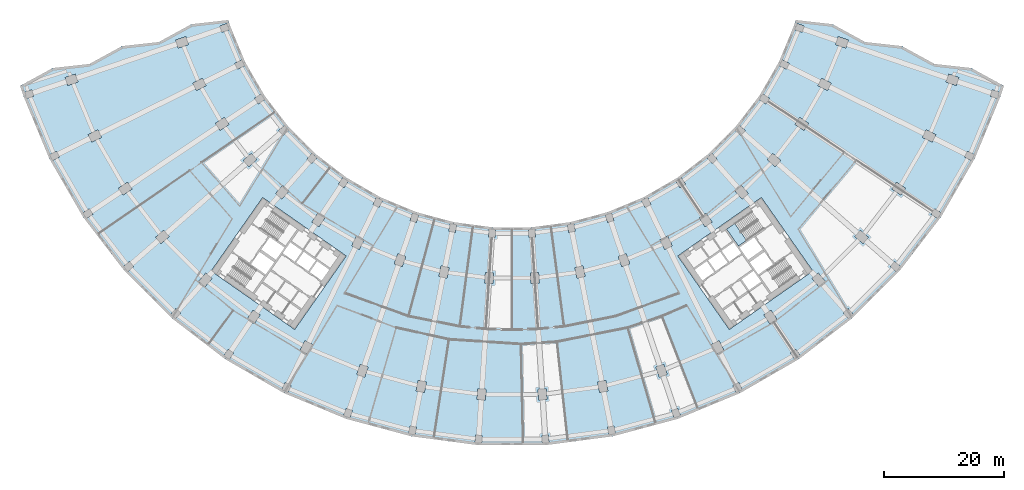
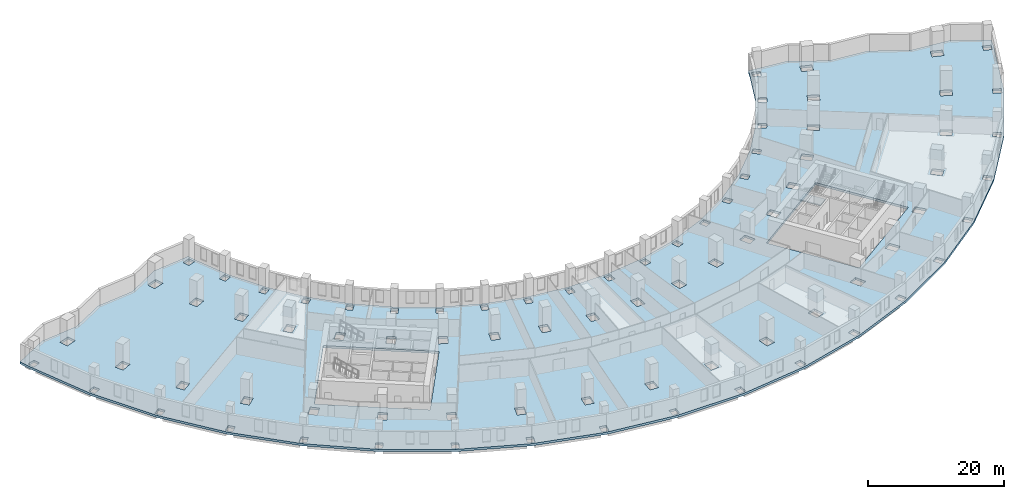
# One storey, part 4 of 19: 2 slabs, 1 element without a shape of its own.
"""IFC4 building model written with IfcOpenShell, lengths in metres."""

from ifc_helpers import new_model, si_unit, direction, frame, origin, place, context, subcontext, project, spatial, polyline, outline, extrude, material, layer, layer_set, type_object, element, aggregate, save


model = new_model("IFC4")

# Units and contexts
model_context = context("Model", 3, precision=1e-05, world=origin(), true_north=direction((0.0, 1.0)))
body_context = subcontext(model_context, "Body", "Model", "MODEL_VIEW")
ifc_project = project(units=[si_unit("LENGTHUNIT", "METRE"), si_unit("AREAUNIT", "SQUARE_METRE"), si_unit("VOLUMEUNIT", "CUBIC_METRE"), si_unit("PLANEANGLEUNIT", "RADIAN"), si_unit("MASSUNIT", "GRAM", prefix="KILO")], contexts=[model_context])

# Site, building, storey
site_placement = place(None, origin())
site = spatial("IfcSite", under=ifc_project, at=site_placement, CompositionType="ELEMENT")
building_placement = place(site_placement, origin())
building = spatial("IfcBuilding", under=site, at=building_placement, Name="Qamariyya Broadcast Tower", CompositionType="ELEMENT")
storey_placement = place(building_placement, frame((0.0, 0.0, 36.0)))
storey = spatial("IfcBuildingStorey", under=building, at=storey_placement, Name="L05", CompositionType="ELEMENT", Elevation=36.0)

# Slab
ifc_material_1 = material(Name="Concrete C40/50", Category="concrete")
ifc_layer_1 = layer(ifc_material_1, 0.39990234375)
ifc_layer_set_1 = layer_set([ifc_layer_1], Name="Post-tensioned floor slab 400 C40/50")
slab_type_1 = type_object("IfcSlabType", Name="Post-tensioned floor slab 400 C40/50", PredefinedType="FLOOR", material=ifc_layer_set_1)
slab_1_placement = place(storey_placement, frame((0.0, 0.0, -0.39990234375)))
element("IfcSlab", 1, at=slab_1_placement, inside=storey, type_object=slab_type_1, Name="Floor slab S3 L05", PredefinedType="FLOOR", context=body_context, shape_type="SweptSolid", body=[
    extrude(outline(polyline([(-76.78857421875, -23.0263671875), (-82.2353515625, -26.007568359375), (-81.672607421875, -27.72412109375), (-77.355224609375, -38.1474609375), (-71.71435546875, -47.91796875), (-64.84619140625, -56.86865234375), (-56.86865234375, -64.84619140625), (-47.91796875, -71.71435546875), (-38.1474609375, -77.355224609375), (-27.72412109375, -81.672607421875), (-16.82666015625, -84.5927734375), (-5.64111328125, -86.0654296875), (5.64111328125, -86.0654296875), (16.82666015625, -84.5927734375), (27.72412109375, -81.672607421875), (38.1474609375, -77.355224609375), (47.91796875, -71.71435546875), (56.86865234375, -64.84619140625), (64.84619140625, -56.86865234375), (71.71435546875, -47.91796875), (77.355224609375, -38.1474609375), (81.672607421875, -27.72412109375), (82.2353515625, -26.007568359375), (76.78857421875, -23.0263671875), (70.635009765625, -22.3388671875), (65.1865234375, -19.357421875), (59.03466796875, -18.670166015625), (53.583984375, -15.68798828125), (47.434326171875, -15.00146484375), (47.10986328125, -15.99169921875), (44.619384765625, -22.00390625), (41.36572265625, -27.6396484375), (37.404052734375, -32.802490234375), (32.802490234375, -37.404052734375), (27.6396484375, -41.36572265625), (22.00390625, -44.619384765625), (15.99169921875, -47.10986328125), (9.705810546875, -48.794189453125), (3.25390625, -49.6435546875), (-3.25390625, -49.6435546875), (-9.705810546875, -48.794189453125), (-15.99169921875, -47.10986328125), (-22.00390625, -44.619384765625), (-27.6396484375, -41.36572265625), (-32.802490234375, -37.404052734375), (-37.404052734375, -32.802490234375), (-41.36572265625, -27.6396484375), (-44.619384765625, -22.00390625), (-47.10986328125, -15.99169921875), (-47.434326171875, -15.00146484375), (-53.583984375, -15.68798828125), (-59.03466796875, -18.670166015625), (-65.1865234375, -19.357421875), (-70.635009765625, -22.3388671875), (-76.78857421875, -23.0263671875)]), holes=[polyline([(-27.714599609375, -79.93359375), (-26.6728515625, -80.287109375), (-27.0908203125, -81.51806640625), (-28.132568359375, -81.16455078125), (-27.714599609375, -79.93359375)]), polyline([(-37.910888671875, -75.632080078125), (-36.92431640625, -76.11865234375), (-37.499267578125, -77.28466796875), (-38.48583984375, -76.798095703125), (-37.910888671875, -75.632080078125)]), polyline([(-47.45849609375, -70.036865234375), (-46.5439453125, -70.64794921875), (-47.26611328125, -71.728759765625), (-48.180908203125, -71.11767578125), (-47.45849609375, -70.036865234375)]), polyline([(-33.362060546875, -69.234375), (-34.158203125, -70.8486328125), (-35.413818359375, -70.2294921875), (-34.61767578125, -68.614990234375), (-33.362060546875, -69.234375)]), polyline([(-42.113525390625, -64.287353515625), (-43.113525390625, -65.783935546875), (-44.277587890625, -65.006103515625), (-43.277587890625, -63.509521484375), (-42.113525390625, -64.287353515625)]), polyline([(-56.194091796875, -63.242919921875), (-55.3671875, -63.96826171875), (-56.224365234375, -64.94580078125), (-57.05126953125, -64.220458984375), (-56.194091796875, -63.242919921875)]), polyline([(-51.197021484375, -57.3173828125), (-50.14453125, -58.240478515625), (-51.331298828125, -59.59375), (-52.3837890625, -58.670654296875), (-51.197021484375, -57.3173828125)]), polyline([(-63.96826171875, -55.3671875), (-63.242919921875, -56.194091796875), (-64.220458984375, -57.05126953125), (-64.94580078125, -56.224365234375), (-63.96826171875, -55.3671875)]), polyline([(-27.719970703125, -54.447021484375), (-36.32373046875, -66.734375), (-50.286376953125, -56.95751953125), (-41.6826171875, -44.67041015625), (-27.719970703125, -54.447021484375)]), polyline([(-57.3173828125, -51.197021484375), (-58.670654296875, -52.3837890625), (-59.59375, -51.331298828125), (-58.240478515625, -50.14453125), (-57.3173828125, -51.197021484375)]), polyline([(-32.444091796875, -47.2958984375), (-31.280029296875, -48.07373046875), (-32.280029296875, -49.5703125), (-33.444091796875, -48.79248046875), (-32.444091796875, -47.2958984375)]), polyline([(-70.64794921875, -46.5439453125), (-70.036865234375, -47.45849609375), (-71.11767578125, -48.180908203125), (-71.728759765625, -47.26611328125), (-70.64794921875, -46.5439453125)]), polyline([(-38.33984375, -42.656494140625), (-37.287109375, -43.57958984375), (-38.47412109375, -44.932861328125), (-39.526611328125, -44.009765625), (-38.33984375, -42.656494140625)]), polyline([(-63.509521484375, -43.277587890625), (-65.006103515625, -44.277587890625), (-65.783935546875, -43.113525390625), (-64.287353515625, -42.113525390625), (-63.509521484375, -43.277587890625)]), polyline([(-27.376708984375, -41.962158203125), (-28.09912109375, -43.043212890625), (-29.013671875, -42.431884765625), (-28.291259765625, -41.35107421875), (-27.376708984375, -41.962158203125)]), polyline([(-43.57958984375, -37.287109375), (-42.656494140625, -38.33984375), (-44.009765625, -39.526611328125), (-44.932861328125, -38.47412109375), (-43.57958984375, -37.287109375)]), polyline([(-33.44677734375, -37.304443359375), (-32.61962890625, -38.02978515625), (-33.476806640625, -39.00732421875), (-34.303955078125, -38.281982421875), (-33.44677734375, -37.304443359375)]), polyline([(-76.11865234375, -36.92431640625), (-75.632080078125, -37.910888671875), (-76.798095703125, -38.48583984375), (-77.28466796875, -37.499267578125), (-76.11865234375, -36.92431640625)]), polyline([(-68.614990234375, -34.61767578125), (-70.2294921875, -35.413818359375), (-70.8486328125, -34.158203125), (-69.234375, -33.362060546875), (-68.614990234375, -34.61767578125)]), polyline([(-37.304443359375, -33.44677734375), (-38.281982421875, -34.303955078125), (-39.00732421875, -33.476806640625), (-38.02978515625, -32.61962890625), (-37.304443359375, -33.44677734375)]), polyline([(-48.07373046875, -31.280029296875), (-47.2958984375, -32.444091796875), (-48.79248046875, -33.444091796875), (-49.5703125, -32.280029296875), (-48.07373046875, -31.280029296875)]), polyline([(-41.962158203125, -27.376708984375), (-41.35107421875, -28.291259765625), (-42.431884765625, -29.013671875), (-43.043212890625, -28.09912109375), (-41.962158203125, -27.376708984375)]), polyline([(-80.287109375, -26.6728515625), (-79.93359375, -27.714599609375), (-81.16455078125, -28.132568359375), (-81.51806640625, -27.0908203125), (-80.287109375, -26.6728515625)]), polyline([(-51.1259765625, -25.9931640625), (-52.740478515625, -26.789306640625), (-53.359619140625, -25.533447265625), (-51.745361328125, -24.737548828125), (-51.1259765625, -25.9931640625)]), polyline([(-72.546630859375, -25.365478515625), (-74.2509765625, -25.944091796875), (-74.701171875, -24.618408203125), (-72.99658203125, -24.039794921875), (-72.546630859375, -25.365478515625)]), polyline([(-45.176513671875, -21.665283203125), (-44.690185546875, -22.65185546875), (-45.85595703125, -23.226806640625), (-46.342529296875, -22.240478515625), (-45.176513671875, -21.665283203125)]), polyline([(-54.531494140625, -17.771728515625), (-54.08154296875, -19.097412109375), (-55.785888671875, -19.676025390625), (-56.23583984375, -18.350341796875), (-54.531494140625, -17.771728515625)]), polyline([(-47.617919921875, -15.583251953125), (-47.264404296875, -16.625), (-48.495361328125, -17.042724609375), (-48.84912109375, -16.001220703125), (-47.617919921875, -15.583251953125)]), polyline([(6.08203125, -84.3828125), (6.1669921875, -85.68017578125), (5.0693359375, -85.751953125), (4.984375, -84.454833984375), (6.08203125, -84.3828125)]), polyline([(-4.984375, -84.454833984375), (-5.0693359375, -85.751953125), (-6.1669921875, -85.68017578125), (-6.08203125, -84.3828125), (-4.984375, -84.454833984375)]), polyline([(-17.044189453125, -82.8671875), (-15.965087890625, -83.081787109375), (-16.21875, -84.356689453125), (-17.297607421875, -84.14208984375), (-17.044189453125, -82.8671875)]), polyline([(15.965087890625, -83.081787109375), (17.044189453125, -82.8671875), (17.297607421875, -84.14208984375), (16.21875, -84.356689453125), (15.965087890625, -83.081787109375)]), polyline([(26.6728515625, -80.287109375), (27.714599609375, -79.93359375), (28.132568359375, -81.16455078125), (27.0908203125, -81.51806640625), (26.6728515625, -80.287109375)]), polyline([(-4.32763671875, -76.731201171875), (-4.445556640625, -78.52734375), (-5.842529296875, -78.435791015625), (-5.724853515625, -76.6396484375), (-4.32763671875, -76.731201171875)]), polyline([(5.724853515625, -76.6396484375), (5.842529296875, -78.435791015625), (4.445556640625, -78.52734375), (4.32763671875, -76.731201171875), (5.724853515625, -76.6396484375)]), polyline([(-15.67919921875, -75.23681640625), (-14.30615234375, -75.510009765625), (-14.6572265625, -77.275390625), (-16.030517578125, -77.002197265625), (-15.67919921875, -75.23681640625)]), polyline([(15.67919921875, -75.23681640625), (16.030517578125, -77.002197265625), (14.6572265625, -77.275390625), (14.30615234375, -75.510009765625), (15.67919921875, -75.23681640625)]), polyline([(-24.039794921875, -72.99658203125), (-24.618408203125, -74.701171875), (-25.944091796875, -74.2509765625), (-25.365478515625, -72.546630859375), (-24.039794921875, -72.99658203125)]), polyline([(24.039794921875, -72.99658203125), (25.365478515625, -72.546630859375), (25.944091796875, -74.2509765625), (24.618408203125, -74.701171875), (24.039794921875, -72.99658203125)]), polyline([(4.449462890625, -57.181396484375), (4.567138671875, -58.9775390625), (3.170166015625, -59.069091796875), (3.05224609375, -57.27294921875), (4.449462890625, -57.181396484375)]), polyline([(-3.05224609375, -57.27294921875), (-3.170166015625, -59.069091796875), (-4.567138671875, -58.9775390625), (-4.449462890625, -57.181396484375), (-3.05224609375, -57.27294921875)]), polyline([(10.501953125, -56.384521484375), (11.875, -56.111572265625), (12.22607421875, -57.876953125), (10.85302734375, -58.14990234375), (10.501953125, -56.384521484375)]), polyline([(-11.875, -56.111572265625), (-10.501953125, -56.384521484375), (-10.85302734375, -58.14990234375), (-12.22607421875, -57.876953125), (-11.875, -56.111572265625)]), polyline([(17.771728515625, -54.531494140625), (19.097412109375, -54.08154296875), (19.676025390625, -55.785888671875), (18.350341796875, -56.23583984375), (17.771728515625, -54.531494140625)]), polyline([(-17.771728515625, -54.531494140625), (-18.350341796875, -56.23583984375), (-19.676025390625, -55.785888671875), (-19.097412109375, -54.08154296875), (-17.771728515625, -54.531494140625)]), polyline([(-24.737548828125, -51.745361328125), (-25.533447265625, -53.359619140625), (-26.789306640625, -52.740478515625), (-25.9931640625, -51.1259765625), (-24.737548828125, -51.745361328125)]), polyline([(24.737548828125, -51.745361328125), (25.9931640625, -51.1259765625), (26.789306640625, -52.740478515625), (25.533447265625, -53.359619140625), (24.737548828125, -51.745361328125)]), polyline([(-3.825439453125, -49.956787109375), (-2.727783203125, -50.02880859375), (-2.81298828125, -51.325927734375), (-3.91064453125, -51.25390625), (-3.825439453125, -49.956787109375)]), polyline([(2.727783203125, -50.02880859375), (3.825439453125, -49.956787109375), (3.91064453125, -51.25390625), (2.81298828125, -51.325927734375), (2.727783203125, -50.02880859375)]), polyline([(-9.234619140625, -49.24462890625), (-9.48828125, -50.519775390625), (-10.567138671875, -50.30517578125), (-10.3134765625, -49.030029296875), (-9.234619140625, -49.24462890625)]), polyline([(10.3134765625, -49.030029296875), (10.567138671875, -50.30517578125), (9.48828125, -50.519775390625), (9.234619140625, -49.24462890625), (10.3134765625, -49.030029296875)]), polyline([(15.583251953125, -47.617919921875), (16.625, -47.264404296875), (17.042724609375, -48.495361328125), (16.001220703125, -48.84912109375), (15.583251953125, -47.617919921875)]), polyline([(-16.625, -47.264404296875), (-15.583251953125, -47.617919921875), (-16.001220703125, -48.84912109375), (-17.042724609375, -48.495361328125), (-16.625, -47.264404296875)]), polyline([(21.665283203125, -45.176513671875), (22.65185546875, -44.690185546875), (23.226806640625, -45.85595703125), (22.240478515625, -46.342529296875), (21.665283203125, -45.176513671875)]), polyline([(-21.665283203125, -45.176513671875), (-22.240478515625, -46.342529296875), (-23.226806640625, -45.85595703125), (-22.65185546875, -44.690185546875), (-21.665283203125, -45.176513671875)]), polyline([(28.291259765625, -41.35107421875), (29.013671875, -42.431884765625), (28.09912109375, -43.043212890625), (27.376708984375, -41.962158203125), (28.291259765625, -41.35107421875)]), polyline([(36.92431640625, -76.11865234375), (37.910888671875, -75.632080078125), (38.48583984375, -76.798095703125), (37.499267578125, -77.28466796875), (36.92431640625, -76.11865234375)]), polyline([(46.5439453125, -70.64794921875), (47.45849609375, -70.036865234375), (48.180908203125, -71.11767578125), (47.26611328125, -71.728759765625), (46.5439453125, -70.64794921875)]), polyline([(33.362060546875, -69.234375), (34.61767578125, -68.614990234375), (35.413818359375, -70.2294921875), (34.158203125, -70.8486328125), (33.362060546875, -69.234375)]), polyline([(43.277587890625, -63.509521484375), (44.277587890625, -65.006103515625), (43.113525390625, -65.783935546875), (42.113525390625, -64.287353515625), (43.277587890625, -63.509521484375)]), polyline([(56.194091796875, -63.242919921875), (57.05126953125, -64.220458984375), (56.224365234375, -64.94580078125), (55.3671875, -63.96826171875), (56.194091796875, -63.242919921875)]), polyline([(50.14453125, -58.240478515625), (51.197021484375, -57.3173828125), (52.3837890625, -58.670654296875), (51.331298828125, -59.59375), (50.14453125, -58.240478515625)]), polyline([(63.242919921875, -56.194091796875), (63.96826171875, -55.3671875), (64.94580078125, -56.224365234375), (64.220458984375, -57.05126953125), (63.242919921875, -56.194091796875)]), polyline([(27.719970703125, -54.447021484375), (41.6826171875, -44.67041015625), (50.286376953125, -56.95751953125), (36.32373046875, -66.734375), (27.719970703125, -54.447021484375)]), polyline([(58.240478515625, -50.14453125), (59.59375, -51.331298828125), (58.670654296875, -52.3837890625), (57.3173828125, -51.197021484375), (58.240478515625, -50.14453125)]), polyline([(32.444091796875, -47.2958984375), (33.444091796875, -48.79248046875), (32.280029296875, -49.5703125), (31.280029296875, -48.07373046875), (32.444091796875, -47.2958984375)]), polyline([(70.036865234375, -47.45849609375), (70.64794921875, -46.5439453125), (71.728759765625, -47.26611328125), (71.11767578125, -48.180908203125), (70.036865234375, -47.45849609375)]), polyline([(37.287109375, -43.57958984375), (38.33984375, -42.656494140625), (39.526611328125, -44.009765625), (38.47412109375, -44.932861328125), (37.287109375, -43.57958984375)]), polyline([(63.509521484375, -43.277587890625), (64.287353515625, -42.113525390625), (65.783935546875, -43.113525390625), (65.006103515625, -44.277587890625), (63.509521484375, -43.277587890625)]), polyline([(43.57958984375, -37.287109375), (44.932861328125, -38.47412109375), (44.009765625, -39.526611328125), (42.656494140625, -38.33984375), (43.57958984375, -37.287109375)]), polyline([(33.44677734375, -37.304443359375), (34.303955078125, -38.281982421875), (33.476806640625, -39.00732421875), (32.61962890625, -38.02978515625), (33.44677734375, -37.304443359375)]), polyline([(75.632080078125, -37.910888671875), (76.11865234375, -36.92431640625), (77.28466796875, -37.499267578125), (76.798095703125, -38.48583984375), (75.632080078125, -37.910888671875)]), polyline([(68.614990234375, -34.61767578125), (69.234375, -33.362060546875), (70.8486328125, -34.158203125), (70.2294921875, -35.413818359375), (68.614990234375, -34.61767578125)]), polyline([(37.304443359375, -33.44677734375), (38.02978515625, -32.61962890625), (39.00732421875, -33.476806640625), (38.281982421875, -34.303955078125), (37.304443359375, -33.44677734375)]), polyline([(48.07373046875, -31.280029296875), (49.5703125, -32.280029296875), (48.79248046875, -33.444091796875), (47.2958984375, -32.444091796875), (48.07373046875, -31.280029296875)]), polyline([(41.962158203125, -27.376708984375), (43.043212890625, -28.09912109375), (42.431884765625, -29.013671875), (41.35107421875, -28.291259765625), (41.962158203125, -27.376708984375)]), polyline([(79.93359375, -27.714599609375), (80.287109375, -26.6728515625), (81.51806640625, -27.0908203125), (81.16455078125, -28.132568359375), (79.93359375, -27.714599609375)]), polyline([(51.745361328125, -24.737548828125), (53.359619140625, -25.533447265625), (52.740478515625, -26.789306640625), (51.1259765625, -25.9931640625), (51.745361328125, -24.737548828125)]), polyline([(72.99658203125, -24.039794921875), (74.701171875, -24.618408203125), (74.2509765625, -25.944091796875), (72.546630859375, -25.365478515625), (72.99658203125, -24.039794921875)]), polyline([(44.690185546875, -22.65185546875), (45.176513671875, -21.665283203125), (46.342529296875, -22.240478515625), (45.85595703125, -23.226806640625), (44.690185546875, -22.65185546875)]), polyline([(54.531494140625, -17.771728515625), (56.23583984375, -18.350341796875), (55.785888671875, -19.676025390625), (54.08154296875, -19.097412109375), (54.531494140625, -17.771728515625)]), polyline([(47.617919921875, -15.583251953125), (48.84912109375, -16.001220703125), (48.495361328125, -17.042724609375), (47.264404296875, -16.625), (47.617919921875, -15.583251953125)])]), origin(), (0.0, 0.0, 1.0), 0.39990234375),
])

# Stair, slab
ifc_material_2 = material(Name="Concrete C50/60", Category="concrete")
stair_type = type_object("IfcStairType", Name="Exit stair 26 risers of 173 mm", PredefinedType="HALF_TURN_STAIR", material=ifc_material_2)
stair_placement = place(storey_placement, origin())
stair = element("IfcStair", 2, at=stair_placement, inside=storey, type_object=stair_type, Name="L05 Stair E2", PredefinedType="HALF_TURN_STAIR")
ifc_layer_2 = layer(ifc_material_2, 0.199951171875)
ifc_layer_set_2 = layer_set([ifc_layer_2], Name="Stair landing")
slab_type_2 = type_object("IfcSlabType", Name="Stair landing", PredefinedType="LANDING", material=ifc_layer_set_2)
slab_2_placement = place(storey_placement, frame((0.0, 0.0, 2.050048828125)))
slab_2 = element("IfcSlab", 3, at=slab_2_placement, type_object=slab_type_2, Name="ST-E2 landing 1", PredefinedType="LANDING", context=body_context, shape_type="SweptSolid", body=[
    extrude(outline(polyline([(37.23828125, -49.003173828125), (35.870849609375, -49.960693359375), (37.849609375, -52.78662109375), (39.217041015625, -51.829345703125), (37.23828125, -49.003173828125)])), origin(), (0.0, 0.0, 1.0), 0.199951171875),
])
aggregate(stair, [slab_2])

save(model, "model.ifc")
